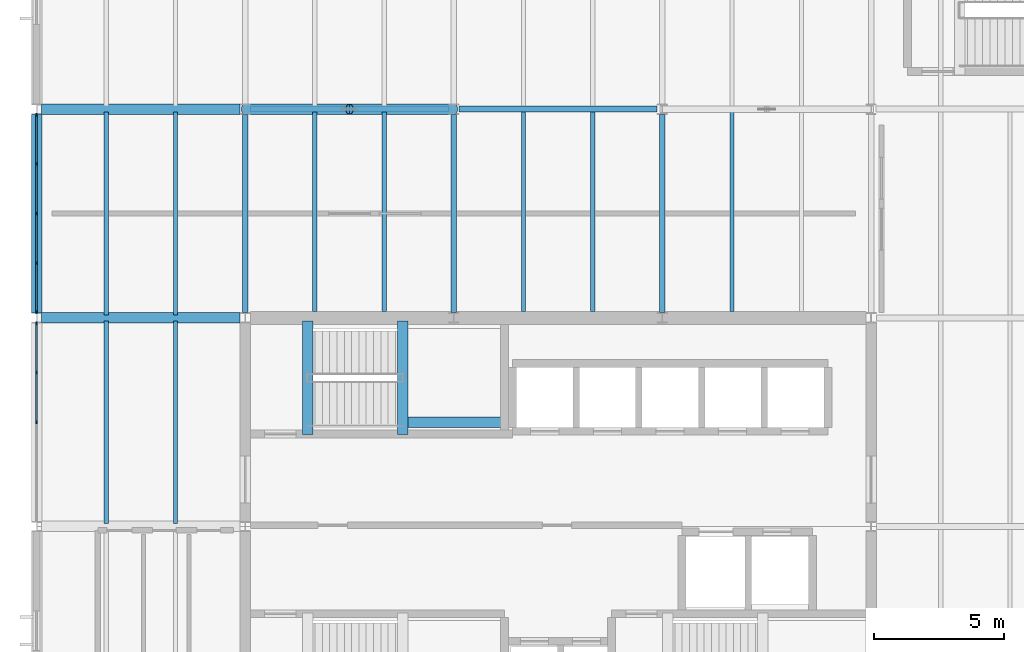
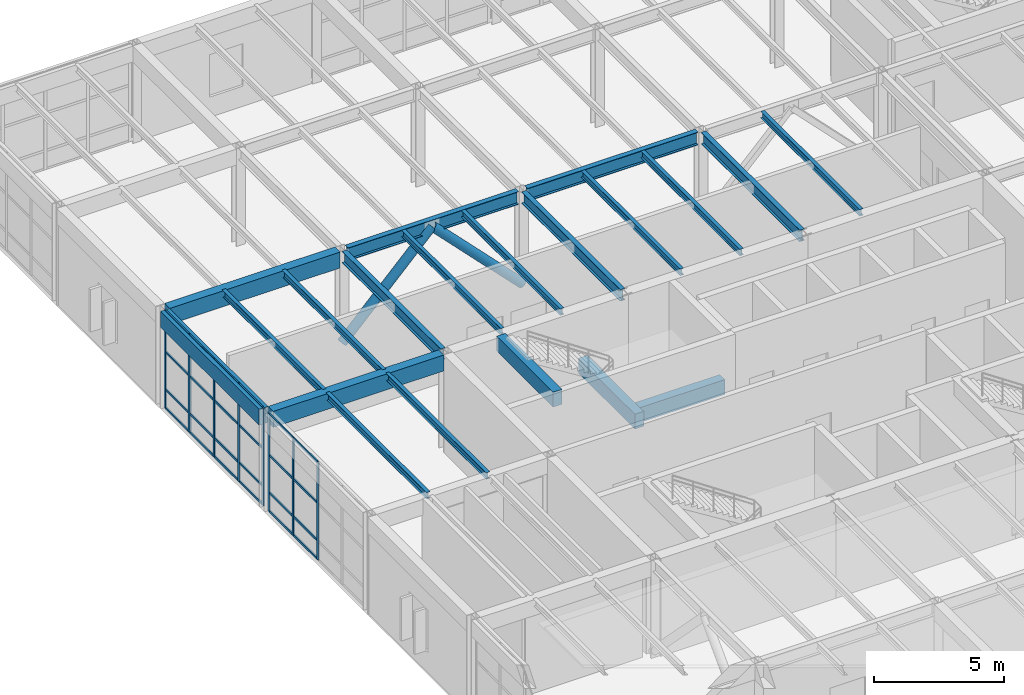
# One storey, part 15 of 60: 34 members, 20 beams, 2 elements without a shape of their own.
"""IFC4 building model written with IfcOpenShell, lengths in metres."""

from ifc_helpers import new_model, si_unit, direction, frame, origin, origin_2d, place, context, subcontext, project, spatial, rectangle, hollow_circle, i_section, extrude, material, layer, layer_set, material_profile, profile_set, type_object, element, aggregate, save


model = new_model("IFC4")

# Units and contexts
model_context = context("Model", 3, precision=1e-05, world=origin(), true_north=direction((0.0, 1.0)))
body_context = subcontext(model_context, "Body", "Model", "MODEL_VIEW")
ifc_project = project(units=[si_unit("LENGTHUNIT", "METRE"), si_unit("AREAUNIT", "SQUARE_METRE"), si_unit("VOLUMEUNIT", "CUBIC_METRE"), si_unit("PLANEANGLEUNIT", "RADIAN"), si_unit("MASSUNIT", "GRAM", prefix="KILO")], contexts=[model_context])

# Site, building, storey
site_placement = place(None, origin())
site = spatial("IfcSite", under=ifc_project, at=site_placement, CompositionType="ELEMENT")
building_placement = place(site_placement, origin())
building = spatial("IfcBuilding", under=site, at=building_placement, Name="Varnela Railside Interchange", CompositionType="ELEMENT")
storey_placement = place(building_placement, frame((0.0, 0.0, 6.300048828125)))
storey = spatial("IfcBuildingStorey", under=building, at=storey_placement, Name="L01", CompositionType="ELEMENT", Elevation=6.300048828125)

# Beams
ifc_material_1 = material(Name="Steel AR 350 (350 MPa)", Category="steel")
ifc_material_profile_1 = material_profile(ifc_material_1, i_section(OverallWidth=0.1650390625, OverallDepth=0.31005859375, WebThickness=0.005859375, FlangeThickness=0.009765625, at=origin_2d()), Name="W310x38.7")
ifc_profile_set_1 = profile_set([ifc_material_profile_1], Name="Steel AR 350 (350 MPa)")
beam_type_1 = type_object("IfcBeamType", Name="Composite Floor Joist J-04", PredefinedType="JOIST", material=ifc_profile_set_1)
for number, where, z_axis, x_axis, name in (
    (1, (6.669921875, 62.114501953125, 4.445068359375), (0.0, 1.0, 0.0), (-1.0, 0.0, 0.0), "Composite Floor Joist J-04 (L01) (BM-1466)"),
    (2, (9.330078125, 62.114501953125, 4.445068359375), (0.0, 1.0, 0.0), (-1.0, 0.0, 0.0), "Composite Floor Joist J-04 (L01) (BM-1467)"),
    (3, (6.669921875, 70.114501953125, 4.445068359375), (0.0, 1.0, 0.0), (-1.0, 0.0, 0.0), "Composite Floor Joist J-04 (L01) (BM-1468)"),
    (4, (9.330078125, 70.114501953125, 4.445068359375), (0.0, 1.0, 0.0), (-1.0, 0.0, 0.0), "Composite Floor Joist J-04 (L01) (BM-1469)"),
):
    element("IfcBeam", number, at=place(storey_placement, frame(where, z_axis=z_axis, x_axis=x_axis)), inside=storey, type_object=beam_type_1, Name=name, PredefinedType="JOIST", context=body_context, shape_type="SweptSolid", body=[
        extrude(i_section(OverallWidth=0.1650390625, OverallDepth=0.31005859375, WebThickness=0.005859375, FlangeThickness=0.009765625, at=origin_2d()), origin(), (0.0, 0.0, 1.0), 7.77099609375),
    ])
for number, where, z_axis, x_axis, name in (
    (5, (14.669921875, 70.239990234375, 4.445068359375), (0.0, 1.0, 0.0), (-1.0, 0.0, 0.0), "Composite Floor Joist J-04 (L01) (BM-1542)"),
    (6, (17.330078125, 70.239990234375, 4.445068359375), (0.0, 1.0, 0.0), (-1.0, 0.0, 0.0), "Composite Floor Joist J-04 (L01) (BM-1543)"),
    (7, (22.669921875, 70.239990234375, 4.445068359375), (0.0, 1.0, 0.0), (-1.0, 0.0, 0.0), "Composite Floor Joist J-04 (L01) (BM-1552)"),
    (8, (25.330078125, 70.239990234375, 4.445068359375), (0.0, 1.0, 0.0), (-1.0, 0.0, 0.0), "Composite Floor Joist J-04 (L01) (BM-1553)"),
    (9, (30.669921875, 70.239990234375, 4.445068359375), (0.0, 1.0, 0.0), (-1.0, 0.0, 0.0), "Composite Floor Joist J-04 (L01) (BM-1562)"),
):
    element("IfcBeam", number, at=place(storey_placement, frame(where, z_axis=z_axis, x_axis=x_axis)), inside=storey, type_object=beam_type_1, Name=name, PredefinedType="JOIST", context=body_context, shape_type="SweptSolid", body=[
        extrude(i_section(OverallWidth=0.1650390625, OverallDepth=0.31005859375, WebThickness=0.005859375, FlangeThickness=0.009765625, at=origin_2d()), origin(), (0.0, 0.0, 1.0), 7.6455078125),
    ])
ifc_material_profile_2 = material_profile(ifc_material_1, i_section(OverallWidth=0.2119140625, OverallDepth=0.5439453125, WebThickness=0.01318359375, FlangeThickness=0.021240234375, at=origin_2d()), Name="W530x123")
ifc_profile_set_2 = profile_set([ifc_material_profile_2], Name="Steel AR 350 (350 MPa)")
beam_type_2 = type_object("IfcBeamType", Name="Composite Heavy Girder B-16", PredefinedType="BEAM", material=ifc_profile_set_2)
for number, where, z_axis, x_axis, name in (
    (10, (12.0, 70.199462890625, 4.327880859375), (0.0, 1.0, 0.0), (-1.0, 0.0, 0.0), "Composite Heavy Girder B-16 (L01) (BM-1752)"),
    (11, (20.0, 70.199462890625, 4.327880859375), (0.0, 1.0, 0.0), (-1.0, 0.0, 0.0), "Composite Heavy Girder B-16 (L01) (BM-1757)"),
    (12, (28.0, 70.199462890625, 4.327880859375), (0.0, 1.0, 0.0), (-1.0, 0.0, 0.0), "Composite Heavy Girder B-16 (L01) (BM-1762)"),
):
    element("IfcBeam", number, at=place(storey_placement, frame(where, z_axis=z_axis, x_axis=x_axis)), inside=storey, type_object=beam_type_2, Name=name, PredefinedType="BEAM", context=body_context, shape_type="SweptSolid", body=[
        extrude(i_section(OverallWidth=0.2119140625, OverallDepth=0.5439453125, WebThickness=0.01318359375, FlangeThickness=0.021240234375, at=origin_2d()), origin(), (0.0, 0.0, 1.0), 7.60693359375),
    ])
ifc_material_2 = material(Name="Concrete C40", Category="concrete")
ifc_material_profile_3 = material_profile(ifc_material_2, rectangle(XDim=0.39990234375, YDim=0.699951171875, at=origin_2d()), Name="RC 400x700")
ifc_profile_set_3 = profile_set([ifc_material_profile_3], Name="Concrete C40")
beam_type_3 = type_object("IfcBeamType", Name="Concrete Tie Beam B-01", PredefinedType="BEAM", material=ifc_profile_set_3)
for number, where, z_axis, x_axis, name in (
    (13, (14.39990234375, 65.52001953125, 4.25), (0.0, 1.0, 0.0), (-1.0, 0.0, 0.0), "Concrete Tie Beam B-01 (L01) (BM-1823)"),
    (14, (18.0400390625, 65.52001953125, 1.93994140625), (0.0, 1.0, 0.0), (-1.0, 0.0, 0.0), "Concrete Tie Beam B-01 (L01) (BM-1812)"),
):
    element("IfcBeam", number, at=place(storey_placement, frame(where, z_axis=z_axis, x_axis=x_axis)), inside=storey, type_object=beam_type_3, Name=name, PredefinedType="BEAM", context=body_context, shape_type="SweptSolid", body=[
        extrude(rectangle(XDim=0.39990234375, YDim=0.699951171875, at=origin_2d()), origin(), (0.0, 0.0, 1.0), 4.35986328125),
    ])
beam_1_placement = place(storey_placement, frame((18.239990234375, 66.0, 1.93994140625), z_axis=(1.0, 0.0, 0.0), x_axis=(0.0, 1.0, 0.0)))
element("IfcBeam", 15, at=beam_1_placement, inside=storey, type_object=beam_type_3, Name="Concrete Tie Beam B-01 (L01) (BM-1801)", PredefinedType="BEAM", context=body_context, shape_type="SweptSolid", body=[
    extrude(rectangle(XDim=0.39990234375, YDim=0.699951171875, at=origin_2d()), origin(), (0.0, 0.0, 1.0), 3.780029296875),
])

# Curtain wall, members
ifc_material_3 = material(Name="Aluminium 6063-T6", Category="aluminium")
ifc_layer = layer(ifc_material_3, 0.035888671875)
ifc_layer_set = layer_set([ifc_layer], Name="Aluminium 6063-T6")
curtain_wall_type = type_object("IfcCurtainWallType", Name="Operations Wing Facade Curtain Wall CW-03", PredefinedType="USERDEFINED", material=ifc_layer_set)
curtain_wall_1_placement = place(storey_placement, origin())
curtain_wall_1 = element("IfcCurtainWall", 16, at=curtain_wall_1_placement, inside=storey, type_object=curtain_wall_type, Name="Curtain Wall CW-03 (L01) (CW-034)", ObjectType="CURTAIN WALL", PredefinedType="USERDEFINED")
ifc_material_profile_4 = material_profile(ifc_material_3, rectangle(XDim=0.06005859375, YDim=0.139892578125, at=origin_2d()), Name="ALU 60x140")
ifc_profile_set_4 = profile_set([ifc_material_profile_4], Name="Aluminium 6063-T6")
member_type_1 = type_object("IfcMemberType", Name="Curtain Wall Mullion ML-01", PredefinedType="MULLION", material=ifc_profile_set_4)
member_1_placement = place(storey_placement, frame((4.0, 66.0, 0.0), z_axis=(0.0, 0.0, 1.0), x_axis=(-1.0, 0.0, 0.0)))
member_1 = element("IfcMember", 17, at=member_1_placement, type_object=member_type_1, Name="CW-03 mullion 3", PredefinedType="MULLION", context=body_context, shape_type="SweptSolid", body=[
    extrude(rectangle(XDim=0.06005859375, YDim=0.139892578125, at=origin_2d()), origin(), (0.0, 0.0, 1.0), 4.599853515625),
])
member_2_placement = place(storey_placement, frame((4.0, 67.9033203125, 0.0), z_axis=(0.0, 0.0, 1.0), x_axis=(-1.0, 0.0, 0.0)))
member_2 = element("IfcMember", 18, at=member_2_placement, type_object=member_type_1, Name="CW-03 mullion 4", PredefinedType="MULLION", context=body_context, shape_type="SweptSolid", body=[
    extrude(rectangle(XDim=0.06005859375, YDim=0.139892578125, at=origin_2d()), origin(), (0.0, 0.0, 1.0), 4.599853515625),
])
member_3_placement = place(storey_placement, frame((4.0, 69.776611328125, 0.0), z_axis=(0.0, 0.0, 1.0), x_axis=(-1.0, 0.0, 0.0)))
member_3 = element("IfcMember", 19, at=member_3_placement, type_object=member_type_1, Name="CW-03 mullion 5", PredefinedType="MULLION", context=body_context, shape_type="SweptSolid", body=[
    extrude(rectangle(XDim=0.06005859375, YDim=0.139892578125, at=origin_2d()), origin(), (0.0, 0.0, 1.0), 4.599853515625),
])

curtain_wall_2_placement = place(storey_placement, origin())
curtain_wall_2 = element("IfcCurtainWall", 20, at=curtain_wall_2_placement, inside=storey, type_object=curtain_wall_type, Name="Curtain Wall CW-03 (L01) (CW-040)", ObjectType="CURTAIN WALL", PredefinedType="USERDEFINED")
member_4_placement = place(storey_placement, frame((4.0, 70.223388671875, 0.0), z_axis=(0.0, 0.0, 1.0), x_axis=(-1.0, 0.0, 0.0)))
member_4 = element("IfcMember", 21, at=member_4_placement, type_object=member_type_1, Name="CW-03 mullion 1", PredefinedType="MULLION", context=body_context, shape_type="SweptSolid", body=[
    extrude(rectangle(XDim=0.06005859375, YDim=0.139892578125, at=origin_2d()), origin(), (0.0, 0.0, 1.0), 4.599853515625),
])
member_5_placement = place(storey_placement, frame((4.0, 72.0966796875, 0.0), z_axis=(0.0, 0.0, 1.0), x_axis=(-1.0, 0.0, 0.0)))
member_5 = element("IfcMember", 22, at=member_5_placement, type_object=member_type_1, Name="CW-03 mullion 2", PredefinedType="MULLION", context=body_context, shape_type="SweptSolid", body=[
    extrude(rectangle(XDim=0.06005859375, YDim=0.139892578125, at=origin_2d()), origin(), (0.0, 0.0, 1.0), 4.599853515625),
])
member_6_placement = place(storey_placement, frame((4.0, 74.0, 0.0), z_axis=(0.0, 0.0, 1.0), x_axis=(-1.0, 0.0, 0.0)))
member_6 = element("IfcMember", 23, at=member_6_placement, type_object=member_type_1, Name="CW-03 mullion 3", PredefinedType="MULLION", context=body_context, shape_type="SweptSolid", body=[
    extrude(rectangle(XDim=0.06005859375, YDim=0.139892578125, at=origin_2d()), origin(), (0.0, 0.0, 1.0), 4.599853515625),
])
member_7_placement = place(storey_placement, frame((4.0, 75.9033203125, 0.0), z_axis=(0.0, 0.0, 1.0), x_axis=(-1.0, 0.0, 0.0)))
member_7 = element("IfcMember", 24, at=member_7_placement, type_object=member_type_1, Name="CW-03 mullion 4", PredefinedType="MULLION", context=body_context, shape_type="SweptSolid", body=[
    extrude(rectangle(XDim=0.06005859375, YDim=0.139892578125, at=origin_2d()), origin(), (0.0, 0.0, 1.0), 4.599853515625),
])
member_8_placement = place(storey_placement, frame((4.0, 77.776611328125, 0.0), z_axis=(0.0, 0.0, 1.0), x_axis=(-1.0, 0.0, 0.0)))
member_8 = element("IfcMember", 25, at=member_8_placement, type_object=member_type_1, Name="CW-03 mullion 5", PredefinedType="MULLION", context=body_context, shape_type="SweptSolid", body=[
    extrude(rectangle(XDim=0.06005859375, YDim=0.139892578125, at=origin_2d()), origin(), (0.0, 0.0, 1.0), 4.599853515625),
])

# Member
ifc_material_profile_5 = material_profile(ifc_material_3, rectangle(XDim=0.06005859375, YDim=0.110107421875, at=origin_2d()), Name="ALU 60x110")
ifc_profile_set_5 = profile_set([ifc_material_profile_5], Name="Aluminium 6063-T6")
member_type_2 = type_object("IfcMemberType", Name="Curtain Wall Transom TR-01", PredefinedType="USERDEFINED", material=ifc_profile_set_5)
member_9_placement = place(storey_placement, frame((4.0, 66.030029296875, 0.030029296875), z_axis=(0.0, 1.0, 0.0), x_axis=(-1.0, 0.0, 0.0)))
member_9 = element("IfcMember", 26, at=member_9_placement, type_object=member_type_2, Name="CW-03 transom 3.1", ObjectType="TRANSOM", PredefinedType="USERDEFINED", context=body_context, shape_type="SweptSolid", body=[
    extrude(rectangle(XDim=0.06005859375, YDim=0.110107421875, at=origin_2d()), origin(), (0.0, 0.0, 1.0), 1.84326171875),
])

member_10_placement = place(storey_placement, frame((4.0, 66.030029296875, 0.89990234375), z_axis=(0.0, 1.0, 0.0), x_axis=(-1.0, 0.0, 0.0)))
member_10 = element("IfcMember", 27, at=member_10_placement, type_object=member_type_2, Name="CW-03 transom 3.2", ObjectType="TRANSOM", PredefinedType="USERDEFINED", context=body_context, shape_type="SweptSolid", body=[
    extrude(rectangle(XDim=0.06005859375, YDim=0.110107421875, at=origin_2d()), origin(), (0.0, 0.0, 1.0), 1.84326171875),
])

member_11_placement = place(storey_placement, frame((4.0, 66.030029296875, 2.66796875), z_axis=(0.0, 1.0, 0.0), x_axis=(-1.0, 0.0, 0.0)))
member_11 = element("IfcMember", 28, at=member_11_placement, type_object=member_type_2, Name="CW-03 transom 3.3", ObjectType="TRANSOM", PredefinedType="USERDEFINED", context=body_context, shape_type="SweptSolid", body=[
    extrude(rectangle(XDim=0.06005859375, YDim=0.110107421875, at=origin_2d()), origin(), (0.0, 0.0, 1.0), 1.84326171875),
])

member_12_placement = place(storey_placement, frame((4.0, 66.030029296875, 4.570068359375), z_axis=(0.0, 1.0, 0.0), x_axis=(-1.0, 0.0, 0.0)))
member_12 = element("IfcMember", 29, at=member_12_placement, type_object=member_type_2, Name="CW-03 transom 3.4", ObjectType="TRANSOM", PredefinedType="USERDEFINED", context=body_context, shape_type="SweptSolid", body=[
    extrude(rectangle(XDim=0.06005859375, YDim=0.110107421875, at=origin_2d()), origin(), (0.0, 0.0, 1.0), 1.84326171875),
])

member_13_placement = place(storey_placement, frame((4.0, 67.933349609375, 0.030029296875), z_axis=(0.0, 1.0, 0.0), x_axis=(-1.0, 0.0, 0.0)))
member_13 = element("IfcMember", 30, at=member_13_placement, type_object=member_type_2, Name="CW-03 transom 4.1", ObjectType="TRANSOM", PredefinedType="USERDEFINED", context=body_context, shape_type="SweptSolid", body=[
    extrude(rectangle(XDim=0.06005859375, YDim=0.110107421875, at=origin_2d()), origin(), (0.0, 0.0, 1.0), 1.813232421875),
])

member_14_placement = place(storey_placement, frame((4.0, 67.933349609375, 0.89990234375), z_axis=(0.0, 1.0, 0.0), x_axis=(-1.0, 0.0, 0.0)))
member_14 = element("IfcMember", 31, at=member_14_placement, type_object=member_type_2, Name="CW-03 transom 4.2", ObjectType="TRANSOM", PredefinedType="USERDEFINED", context=body_context, shape_type="SweptSolid", body=[
    extrude(rectangle(XDim=0.06005859375, YDim=0.110107421875, at=origin_2d()), origin(), (0.0, 0.0, 1.0), 1.813232421875),
])

member_15_placement = place(storey_placement, frame((4.0, 67.933349609375, 2.66796875), z_axis=(0.0, 1.0, 0.0), x_axis=(-1.0, 0.0, 0.0)))
member_15 = element("IfcMember", 32, at=member_15_placement, type_object=member_type_2, Name="CW-03 transom 4.3", ObjectType="TRANSOM", PredefinedType="USERDEFINED", context=body_context, shape_type="SweptSolid", body=[
    extrude(rectangle(XDim=0.06005859375, YDim=0.110107421875, at=origin_2d()), origin(), (0.0, 0.0, 1.0), 1.813232421875),
])

member_16_placement = place(storey_placement, frame((4.0, 67.933349609375, 4.570068359375), z_axis=(0.0, 1.0, 0.0), x_axis=(-1.0, 0.0, 0.0)))
member_16 = element("IfcMember", 33, at=member_16_placement, type_object=member_type_2, Name="CW-03 transom 4.4", ObjectType="TRANSOM", PredefinedType="USERDEFINED", context=body_context, shape_type="SweptSolid", body=[
    extrude(rectangle(XDim=0.06005859375, YDim=0.110107421875, at=origin_2d()), origin(), (0.0, 0.0, 1.0), 1.813232421875),
])

aggregate(curtain_wall_1, [member_1, member_2, member_3, member_9, member_10, member_11, member_12, member_13, member_14, member_15, member_16])

member_17_placement = place(storey_placement, frame((4.0, 70.25341796875, 0.030029296875), z_axis=(0.0, 1.0, 0.0), x_axis=(-1.0, 0.0, 0.0)))
member_17 = element("IfcMember", 34, at=member_17_placement, type_object=member_type_2, Name="CW-03 transom 1.1", ObjectType="TRANSOM", PredefinedType="USERDEFINED", context=body_context, shape_type="SweptSolid", body=[
    extrude(rectangle(XDim=0.06005859375, YDim=0.110107421875, at=origin_2d()), origin(), (0.0, 0.0, 1.0), 1.813232421875),
])

member_18_placement = place(storey_placement, frame((4.0, 70.25341796875, 0.89990234375), z_axis=(0.0, 1.0, 0.0), x_axis=(-1.0, 0.0, 0.0)))
member_18 = element("IfcMember", 35, at=member_18_placement, type_object=member_type_2, Name="CW-03 transom 1.2", ObjectType="TRANSOM", PredefinedType="USERDEFINED", context=body_context, shape_type="SweptSolid", body=[
    extrude(rectangle(XDim=0.06005859375, YDim=0.110107421875, at=origin_2d()), origin(), (0.0, 0.0, 1.0), 1.813232421875),
])

member_19_placement = place(storey_placement, frame((4.0, 70.25341796875, 2.66796875), z_axis=(0.0, 1.0, 0.0), x_axis=(-1.0, 0.0, 0.0)))
member_19 = element("IfcMember", 36, at=member_19_placement, type_object=member_type_2, Name="CW-03 transom 1.3", ObjectType="TRANSOM", PredefinedType="USERDEFINED", context=body_context, shape_type="SweptSolid", body=[
    extrude(rectangle(XDim=0.06005859375, YDim=0.110107421875, at=origin_2d()), origin(), (0.0, 0.0, 1.0), 1.813232421875),
])

member_20_placement = place(storey_placement, frame((4.0, 70.25341796875, 4.570068359375), z_axis=(0.0, 1.0, 0.0), x_axis=(-1.0, 0.0, 0.0)))
member_20 = element("IfcMember", 37, at=member_20_placement, type_object=member_type_2, Name="CW-03 transom 1.4", ObjectType="TRANSOM", PredefinedType="USERDEFINED", context=body_context, shape_type="SweptSolid", body=[
    extrude(rectangle(XDim=0.06005859375, YDim=0.110107421875, at=origin_2d()), origin(), (0.0, 0.0, 1.0), 1.813232421875),
])

member_21_placement = place(storey_placement, frame((4.0, 72.126708984375, 0.030029296875), z_axis=(0.0, 1.0, 0.0), x_axis=(-1.0, 0.0, 0.0)))
member_21 = element("IfcMember", 38, at=member_21_placement, type_object=member_type_2, Name="CW-03 transom 2.1", ObjectType="TRANSOM", PredefinedType="USERDEFINED", context=body_context, shape_type="SweptSolid", body=[
    extrude(rectangle(XDim=0.06005859375, YDim=0.110107421875, at=origin_2d()), origin(), (0.0, 0.0, 1.0), 1.84326171875),
])

member_22_placement = place(storey_placement, frame((4.0, 72.126708984375, 0.89990234375), z_axis=(0.0, 1.0, 0.0), x_axis=(-1.0, 0.0, 0.0)))
member_22 = element("IfcMember", 39, at=member_22_placement, type_object=member_type_2, Name="CW-03 transom 2.2", ObjectType="TRANSOM", PredefinedType="USERDEFINED", context=body_context, shape_type="SweptSolid", body=[
    extrude(rectangle(XDim=0.06005859375, YDim=0.110107421875, at=origin_2d()), origin(), (0.0, 0.0, 1.0), 1.84326171875),
])

member_23_placement = place(storey_placement, frame((4.0, 72.126708984375, 2.66796875), z_axis=(0.0, 1.0, 0.0), x_axis=(-1.0, 0.0, 0.0)))
member_23 = element("IfcMember", 40, at=member_23_placement, type_object=member_type_2, Name="CW-03 transom 2.3", ObjectType="TRANSOM", PredefinedType="USERDEFINED", context=body_context, shape_type="SweptSolid", body=[
    extrude(rectangle(XDim=0.06005859375, YDim=0.110107421875, at=origin_2d()), origin(), (0.0, 0.0, 1.0), 1.84326171875),
])

member_24_placement = place(storey_placement, frame((4.0, 72.126708984375, 4.570068359375), z_axis=(0.0, 1.0, 0.0), x_axis=(-1.0, 0.0, 0.0)))
member_24 = element("IfcMember", 41, at=member_24_placement, type_object=member_type_2, Name="CW-03 transom 2.4", ObjectType="TRANSOM", PredefinedType="USERDEFINED", context=body_context, shape_type="SweptSolid", body=[
    extrude(rectangle(XDim=0.06005859375, YDim=0.110107421875, at=origin_2d()), origin(), (0.0, 0.0, 1.0), 1.84326171875),
])

member_25_placement = place(storey_placement, frame((4.0, 74.030029296875, 0.030029296875), z_axis=(0.0, 1.0, 0.0), x_axis=(-1.0, 0.0, 0.0)))
member_25 = element("IfcMember", 42, at=member_25_placement, type_object=member_type_2, Name="CW-03 transom 3.1", ObjectType="TRANSOM", PredefinedType="USERDEFINED", context=body_context, shape_type="SweptSolid", body=[
    extrude(rectangle(XDim=0.06005859375, YDim=0.110107421875, at=origin_2d()), origin(), (0.0, 0.0, 1.0), 1.84326171875),
])

member_26_placement = place(storey_placement, frame((4.0, 74.030029296875, 0.89990234375), z_axis=(0.0, 1.0, 0.0), x_axis=(-1.0, 0.0, 0.0)))
member_26 = element("IfcMember", 43, at=member_26_placement, type_object=member_type_2, Name="CW-03 transom 3.2", ObjectType="TRANSOM", PredefinedType="USERDEFINED", context=body_context, shape_type="SweptSolid", body=[
    extrude(rectangle(XDim=0.06005859375, YDim=0.110107421875, at=origin_2d()), origin(), (0.0, 0.0, 1.0), 1.84326171875),
])

member_27_placement = place(storey_placement, frame((4.0, 74.030029296875, 2.66796875), z_axis=(0.0, 1.0, 0.0), x_axis=(-1.0, 0.0, 0.0)))
member_27 = element("IfcMember", 44, at=member_27_placement, type_object=member_type_2, Name="CW-03 transom 3.3", ObjectType="TRANSOM", PredefinedType="USERDEFINED", context=body_context, shape_type="SweptSolid", body=[
    extrude(rectangle(XDim=0.06005859375, YDim=0.110107421875, at=origin_2d()), origin(), (0.0, 0.0, 1.0), 1.84326171875),
])

member_28_placement = place(storey_placement, frame((4.0, 74.030029296875, 4.570068359375), z_axis=(0.0, 1.0, 0.0), x_axis=(-1.0, 0.0, 0.0)))
member_28 = element("IfcMember", 45, at=member_28_placement, type_object=member_type_2, Name="CW-03 transom 3.4", ObjectType="TRANSOM", PredefinedType="USERDEFINED", context=body_context, shape_type="SweptSolid", body=[
    extrude(rectangle(XDim=0.06005859375, YDim=0.110107421875, at=origin_2d()), origin(), (0.0, 0.0, 1.0), 1.84326171875),
])

member_29_placement = place(storey_placement, frame((4.0, 75.933349609375, 0.030029296875), z_axis=(0.0, 1.0, 0.0), x_axis=(-1.0, 0.0, 0.0)))
member_29 = element("IfcMember", 46, at=member_29_placement, type_object=member_type_2, Name="CW-03 transom 4.1", ObjectType="TRANSOM", PredefinedType="USERDEFINED", context=body_context, shape_type="SweptSolid", body=[
    extrude(rectangle(XDim=0.06005859375, YDim=0.110107421875, at=origin_2d()), origin(), (0.0, 0.0, 1.0), 1.813232421875),
])

member_30_placement = place(storey_placement, frame((4.0, 75.933349609375, 0.89990234375), z_axis=(0.0, 1.0, 0.0), x_axis=(-1.0, 0.0, 0.0)))
member_30 = element("IfcMember", 47, at=member_30_placement, type_object=member_type_2, Name="CW-03 transom 4.2", ObjectType="TRANSOM", PredefinedType="USERDEFINED", context=body_context, shape_type="SweptSolid", body=[
    extrude(rectangle(XDim=0.06005859375, YDim=0.110107421875, at=origin_2d()), origin(), (0.0, 0.0, 1.0), 1.813232421875),
])

member_31_placement = place(storey_placement, frame((4.0, 75.933349609375, 2.66796875), z_axis=(0.0, 1.0, 0.0), x_axis=(-1.0, 0.0, 0.0)))
member_31 = element("IfcMember", 48, at=member_31_placement, type_object=member_type_2, Name="CW-03 transom 4.3", ObjectType="TRANSOM", PredefinedType="USERDEFINED", context=body_context, shape_type="SweptSolid", body=[
    extrude(rectangle(XDim=0.06005859375, YDim=0.110107421875, at=origin_2d()), origin(), (0.0, 0.0, 1.0), 1.813232421875),
])

member_32_placement = place(storey_placement, frame((4.0, 75.933349609375, 4.570068359375), z_axis=(0.0, 1.0, 0.0), x_axis=(-1.0, 0.0, 0.0)))
member_32 = element("IfcMember", 49, at=member_32_placement, type_object=member_type_2, Name="CW-03 transom 4.4", ObjectType="TRANSOM", PredefinedType="USERDEFINED", context=body_context, shape_type="SweptSolid", body=[
    extrude(rectangle(XDim=0.06005859375, YDim=0.110107421875, at=origin_2d()), origin(), (0.0, 0.0, 1.0), 1.813232421875),
])

aggregate(curtain_wall_2, [member_4, member_5, member_6, member_7, member_8, member_17, member_18, member_19, member_20, member_21, member_22, member_23, member_24, member_25, member_26, member_27, member_28, member_29, member_30, member_31, member_32])

# Beams
ifc_material_profile_6 = material_profile(ifc_material_1, i_section(OverallWidth=0.22900390625, OverallDepth=0.612060546875, WebThickness=0.011962890625, FlangeThickness=0.01953125, at=origin_2d()), Name="W610x125")
ifc_profile_set_6 = profile_set([ifc_material_profile_6], Name="Steel AR 350 (350 MPa)")
beam_type_4 = type_object("IfcBeamType", Name="Podium Composite Girder B-15", PredefinedType="BEAM", material=ifc_profile_set_6)
for number, where, z_axis, x_axis, name in (
    (50, (12.198974609375, 78.0, 4.2939453125), (1.0, 0.0, 0.0), (0.0, 1.0, 0.0), "Podium Composite Girder B-15 (L01) (BM-1677)"),
    (51, (20.198974609375, 78.0, 4.2939453125), (1.0, 0.0, 0.0), (0.0, 1.0, 0.0), "Podium Composite Girder B-15 (L01) (BM-1679)"),
):
    element("IfcBeam", number, at=place(storey_placement, frame(where, z_axis=z_axis, x_axis=x_axis)), inside=storey, type_object=beam_type_4, Name=name, PredefinedType="BEAM", context=body_context, shape_type="SweptSolid", body=[
        extrude(i_section(OverallWidth=0.22900390625, OverallDepth=0.612060546875, WebThickness=0.011962890625, FlangeThickness=0.01953125, at=origin_2d()), origin(), (0.0, 0.0, 1.0), 7.60205078125),
    ])
ifc_material_4 = material(Name="Concrete C40 precast", Category="concrete")
ifc_material_profile_7 = material_profile(ifc_material_4, rectangle(XDim=0.39990234375, YDim=0.75, at=origin_2d()), Name="PC 400x750")
ifc_profile_set_7 = profile_set([ifc_material_profile_7], Name="Concrete C40 precast")
beam_type_5 = type_object("IfcBeamType", Name="Precast Facade Spandrel SP-03", PredefinedType="SPANDREL", material=ifc_profile_set_7)
beam_2_placement = place(storey_placement, frame((4.198974609375, 70.0, 4.224853515625), z_axis=(1.0, 0.0, 0.0), x_axis=(0.0, 1.0, 0.0)))
element("IfcBeam", 52, at=beam_2_placement, inside=storey, type_object=beam_type_5, Name="Precast Facade Spandrel SP-03 (L01) (BM-1674)", PredefinedType="SPANDREL", context=body_context, shape_type="SweptSolid", body=[
    extrude(rectangle(XDim=0.39990234375, YDim=0.75, at=origin_2d()), origin(), (0.0, 0.0, 1.0), 7.6005859375),
])
beam_3_placement = place(storey_placement, frame((4.198974609375, 78.0, 4.224853515625), z_axis=(1.0, 0.0, 0.0), x_axis=(0.0, 1.0, 0.0)))
element("IfcBeam", 53, at=beam_3_placement, inside=storey, type_object=beam_type_5, Name="Precast Facade Spandrel SP-03 (L01) (BM-1683)", PredefinedType="SPANDREL", context=body_context, shape_type="SweptSolid", body=[
    extrude(rectangle(XDim=0.39990234375, YDim=0.75, at=origin_2d()), origin(), (0.0, 0.0, 1.0), 7.60205078125),
])
beam_4_placement = place(storey_placement, frame((4.0, 70.193603515625, 4.224853515625), z_axis=(0.0, 1.0, 0.0), x_axis=(-1.0, 0.0, 0.0)))
element("IfcBeam", 54, at=beam_4_placement, inside=storey, type_object=beam_type_5, Name="Precast Facade Spandrel SP-03 (L01) (BM-1742)", PredefinedType="SPANDREL", context=body_context, shape_type="SweptSolid", body=[
    extrude(rectangle(XDim=0.39990234375, YDim=0.75, at=origin_2d()), origin(), (0.0, 0.0, 1.0), 7.61279296875),
])

# Members
ifc_material_profile_8 = material_profile(ifc_material_1, hollow_circle(Radius=0.203125, WallThickness=0.02001953125, at=origin_2d()), Name="CHS 406.4x20")
ifc_profile_set_8 = profile_set([ifc_material_profile_8], Name="Steel AR 350 (350 MPa)")
member_type_3 = type_object("IfcMemberType", Name="Tubular Mega Brace BR-09", PredefinedType="BRACE", material=ifc_profile_set_8)
for number, where, z_axis, x_axis, name in (
    (55, (12.0, 78.0, 0.14990234375), (0.698315330267, 0.0, 0.715790262238), (0.0, 1.0, 0.0), "Tubular Mega Brace BR-09 (L01) (MB-0067)"),
    (56, (20.0, 78.0, 0.14990234375), (-0.698315330267, 0.0, 0.715790262238), (0.0, -1.0, 0.0), "Tubular Mega Brace BR-09 (L01) (MB-0068)"),
):
    element("IfcMember", number, at=place(storey_placement, frame(where, z_axis=z_axis, x_axis=x_axis)), inside=storey, type_object=member_type_3, Name=name, PredefinedType="BRACE", context=body_context, shape_type="SweptSolid", body=[
        extrude(hollow_circle(Radius=0.203125, WallThickness=0.02001953125, at=origin_2d()), origin(), (0.0, 0.0, 1.0), 5.72802734375),
    ])

save(model, "model.ifc")
